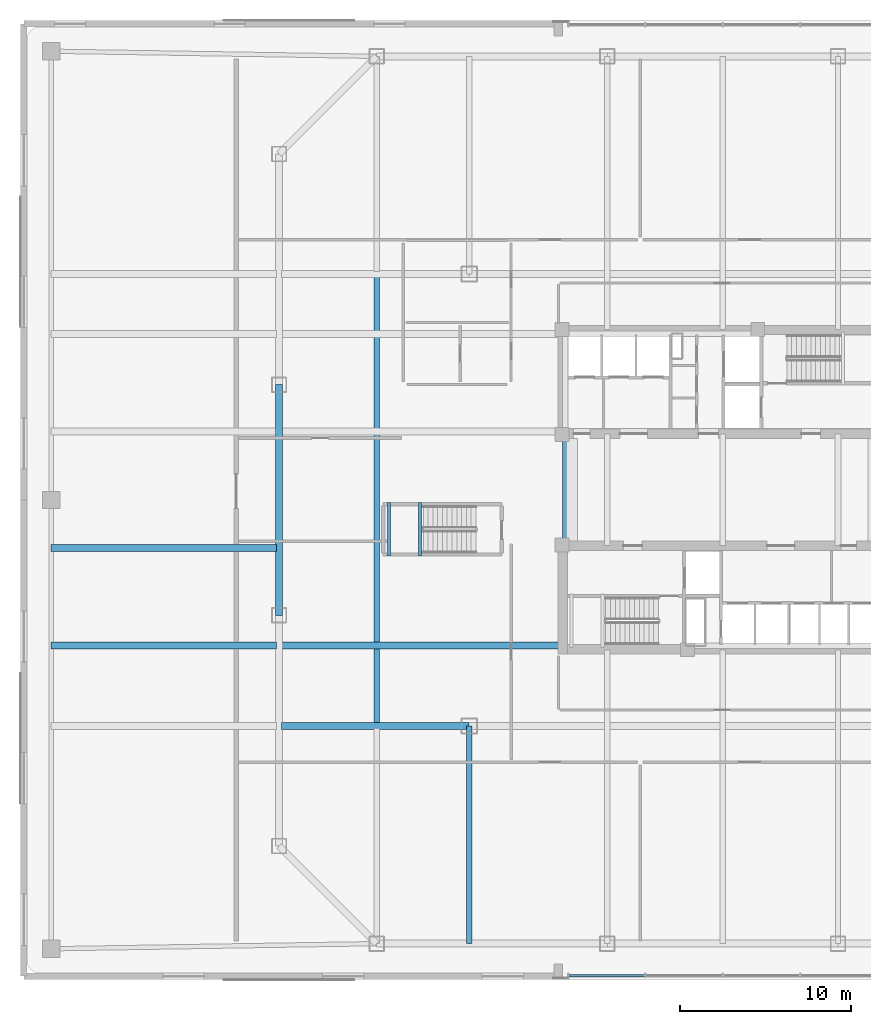
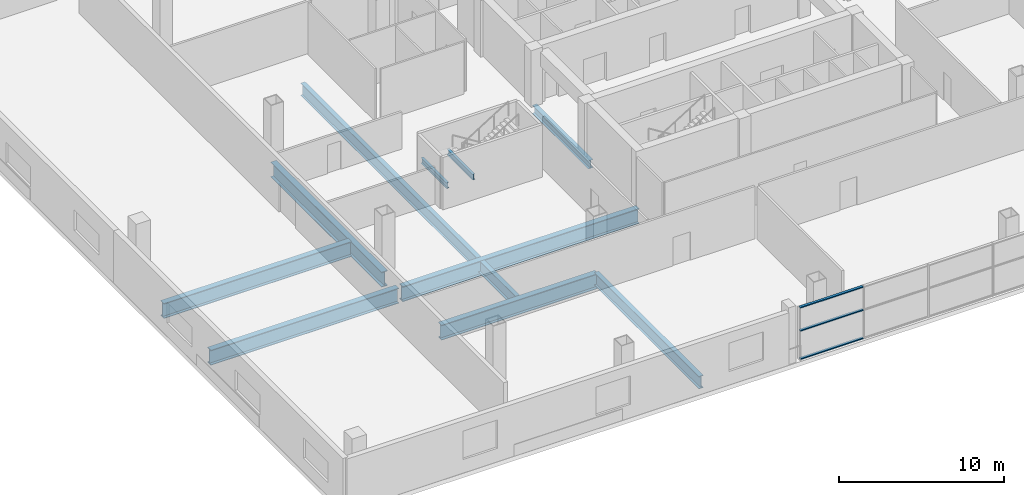
# One storey, part 3 of 21: 10 beams, 3 members, 1 element without a shape of its own.
"""IFC4 building model written with IfcOpenShell, lengths in metres."""

from ifc_helpers import new_model, si_unit, direction, frame, origin, origin_2d, place, context, subcontext, project, spatial, hollow_rectangle, i_section, extrude, material, layer, layer_set, material_profile, profile_set, type_object, element, aggregate, save


model = new_model("IFC4")

# Units and contexts
model_context = context("Model", 3, precision=1e-05, world=origin(), true_north=direction((0.0, 1.0)))
body_context = subcontext(model_context, "Body", "Model", "MODEL_VIEW")
ifc_project = project(units=[si_unit("LENGTHUNIT", "METRE"), si_unit("AREAUNIT", "SQUARE_METRE"), si_unit("VOLUMEUNIT", "CUBIC_METRE"), si_unit("PLANEANGLEUNIT", "RADIAN"), si_unit("MASSUNIT", "GRAM", prefix="KILO")], contexts=[model_context])

# Site, building, storey
site_placement = place(None, origin())
site = spatial("IfcSite", under=ifc_project, at=site_placement, CompositionType="ELEMENT")
building_placement = place(site_placement, origin())
building = spatial("IfcBuilding", under=site, at=building_placement, Name="Qhalaya Broadcast Tower", CompositionType="ELEMENT")
storey_placement = place(building_placement, frame((0.0, 0.0, 13.5)))
storey = spatial("IfcBuildingStorey", under=building, at=storey_placement, Name="L03", CompositionType="ELEMENT", Elevation=13.5)

# Beams
ifc_material_1 = material(Name="Structural Steel ASTM A992 Grade 50", Category="steel")
ifc_material_profile_1 = material_profile(ifc_material_1, i_section(OverallWidth=0.323974609375, OverallDepth=0.612060546875, WebThickness=0.0126953125, FlangeThickness=0.01904296875, at=origin_2d()), Name="W24X104")
ifc_profile_set_1 = profile_set([ifc_material_profile_1], Name="Structural Steel ASTM A992 Grade 50")
beam_type_1 = type_object("IfcBeamType", Name="Core Frame Tie Beam B04", PredefinedType="BEAM", material=ifc_profile_set_1)
beam_1_placement = place(storey_placement, frame((-9.199951171875, -2.800048828125, -0.6259765625), z_axis=(0.0, 1.0, 0.0), x_axis=(-1.0, 0.0, 0.0)))
element("IfcBeam", 1, at=beam_1_placement, inside=storey, type_object=beam_type_1, Name="L03 B04 L03-CCW", PredefinedType="BEAM", context=body_context, shape_type="SweptSolid", body=[
    extrude(i_section(OverallWidth=0.323974609375, OverallDepth=0.612060546875, WebThickness=0.0126953125, FlangeThickness=0.01904296875, at=origin_2d()), origin(), (0.0, 0.0, 1.0), 6.800048828125),
])
ifc_material_profile_2 = material_profile(ifc_material_1, i_section(OverallWidth=0.306884765625, OverallDepth=0.927001953125, WebThickness=0.019287109375, FlangeThickness=0.031982421875, at=origin_2d()), Name="W36X194")
ifc_profile_set_2 = profile_set([ifc_material_profile_2], Name="Structural Steel ASTM A992 Grade 50")
beam_type_2 = type_object("IfcBeamType", Name="Heavy Studio Floor Beam B01", PredefinedType="BEAM", material=ifc_profile_set_2)
beam_2_placement = place(storey_placement, frame((-20.199951171875, -13.06005859375, -0.783447265625), z_axis=(0.0, 1.0, 0.0), x_axis=(-1.0, 0.0, 0.0)))
element("IfcBeam", 2, at=beam_2_placement, inside=storey, type_object=beam_type_2, Name="L03 B01 L03-JS-M-20.2", PredefinedType="BEAM", context=body_context, shape_type="SweptSolid", body=[
    extrude(i_section(OverallWidth=0.306884765625, OverallDepth=0.927001953125, WebThickness=0.019287109375, FlangeThickness=0.031982421875, at=origin_2d()), origin(), (0.0, 0.0, 1.0), 26.1201171875),
])
beam_3_placement = place(storey_placement, frame((-14.800048828125, -25.89990234375, -0.783447265625), z_axis=(0.0, 1.0, 0.0), x_axis=(-1.0, 0.0, 0.0)))
element("IfcBeam", 3, at=beam_3_placement, inside=storey, type_object=beam_type_2, Name="L03 B01 L03-JS-S-14.8", PredefinedType="BEAM", context=body_context, shape_type="SweptSolid", body=[
    extrude(i_section(OverallWidth=0.306884765625, OverallDepth=0.927001953125, WebThickness=0.019287109375, FlangeThickness=0.031982421875, at=origin_2d()), origin(), (0.0, 0.0, 1.0), 12.699951171875),
])
ifc_material_profile_3 = material_profile(ifc_material_1, i_section(OverallWidth=0.404052734375, OverallDepth=1.117919921875, WebThickness=0.026123046875, FlangeThickness=0.044921875, at=origin_2d()), Name="W44X335")
ifc_profile_set_3 = profile_set([ifc_material_profile_3], Name="Structural Steel ASTM A992 Grade 50")
beam_type_3 = type_object("IfcBeamType", Name="Podium Long-Span Primary Girder PG1", PredefinedType="USERDEFINED", material=ifc_profile_set_3)
beam_4_placement = place(storey_placement, frame((-25.89990234375, 6.7333984375, -0.87890625), z_axis=(0.0, -1.0, 0.0), x_axis=(1.0, 0.0, 0.0)))
element("IfcBeam", 4, at=beam_4_placement, inside=storey, type_object=beam_type_3, Name="L03 PG1 L03-PG-R14", ObjectType="GIRDER", PredefinedType="USERDEFINED", context=body_context, shape_type="SweptSolid", body=[
    extrude(i_section(OverallWidth=0.404052734375, OverallDepth=1.117919921875, WebThickness=0.026123046875, FlangeThickness=0.044921875, at=origin_2d()), origin(), (0.0, 0.0, 1.0), 13.466796875),
])
beam_5_placement = place(storey_placement, frame((-25.760009765625, -13.199951171875, -0.87890625), z_axis=(1.0, 0.0, 0.0), x_axis=(0.0, 1.0, 0.0)))
element("IfcBeam", 5, at=beam_5_placement, inside=storey, type_object=beam_type_3, Name="L03 PG1 L03-PG-GS2", ObjectType="GIRDER", PredefinedType="USERDEFINED", context=body_context, shape_type="SweptSolid", body=[
    extrude(i_section(OverallWidth=0.404052734375, OverallDepth=1.117919921875, WebThickness=0.026123046875, FlangeThickness=0.044921875, at=origin_2d()), origin(), (0.0, 0.0, 1.0), 10.9599609375),
])
beam_6_placement = place(storey_placement, frame((-39.199951171875, -8.5, -0.87890625), z_axis=(1.0, 0.0, 0.0), x_axis=(0.0, 1.0, 0.0)))
element("IfcBeam", 6, at=beam_6_placement, inside=storey, type_object=beam_type_3, Name="L03 PG1 L03-PG-W1A", ObjectType="GIRDER", PredefinedType="USERDEFINED", context=body_context, shape_type="SweptSolid", body=[
    extrude(i_section(OverallWidth=0.404052734375, OverallDepth=1.117919921875, WebThickness=0.026123046875, FlangeThickness=0.044921875, at=origin_2d()), origin(), (0.0, 0.0, 1.0), 13.159912109375),
])
beam_7_placement = place(storey_placement, frame((-25.760009765625, -8.5, -0.87890625), z_axis=(1.0, 0.0, 0.0), x_axis=(0.0, 1.0, 0.0)))
element("IfcBeam", 7, at=beam_7_placement, inside=storey, type_object=beam_type_3, Name="L03 PG1 L03-PG-W1B", ObjectType="GIRDER", PredefinedType="USERDEFINED", context=body_context, shape_type="SweptSolid", body=[
    extrude(i_section(OverallWidth=0.404052734375, OverallDepth=1.117919921875, WebThickness=0.026123046875, FlangeThickness=0.044921875, at=origin_2d()), origin(), (0.0, 0.0, 1.0), 16.56005859375),
])
beam_8_placement = place(storey_placement, frame((-39.199951171875, -2.800048828125, -0.87890625), z_axis=(1.0, 0.0, 0.0), x_axis=(0.0, 1.0, 0.0)))
element("IfcBeam", 8, at=beam_8_placement, inside=storey, type_object=beam_type_3, Name="L03 PG1 L03-PG-W2A", ObjectType="GIRDER", PredefinedType="USERDEFINED", context=body_context, shape_type="SweptSolid", body=[
    extrude(i_section(OverallWidth=0.404052734375, OverallDepth=1.117919921875, WebThickness=0.026123046875, FlangeThickness=0.044921875, at=origin_2d()), origin(), (0.0, 0.0, 1.0), 13.159912109375),
])

# Curtain wall, members
ifc_material_2 = material(Name="Solar-Control Low-E Triple Glazing", Category="glass")
ifc_layer = layer(ifc_material_2, 0.219970703125, Name="Solar-Control Low-E Triple Glazing")
ifc_layer_set = layer_set([ifc_layer], Name="Solar-Control Low-E Triple Glazing")
curtain_wall_type = type_object("IfcCurtainWallType", Name="Podium Concourse Triple-Height Glazed Portal CW-01", PredefinedType="NOTDEFINED", material=ifc_layer_set)
curtain_wall_placement = place(storey_placement, origin())
curtain_wall = element("IfcCurtainWall", 9, at=curtain_wall_placement, inside=storey, type_object=curtain_wall_type, Name="L03 Unitised Curtain Wall L03-CW01-S", PredefinedType="NOTDEFINED")
ifc_material_3 = material(Name="Anodised Aluminium 6063-T6", Category="aluminium")
ifc_material_profile_4 = material_profile(ifc_material_3, hollow_rectangle(XDim=0.074951171875, YDim=0.179931640625, WallThickness=0.00390625, at=origin_2d()), Name="ALU-TRN 75x180x4")
ifc_profile_set_4 = profile_set([ifc_material_profile_4], Name="Anodised Aluminium 6063-T6")
member_type = type_object("IfcMemberType", Name="Unitised Curtain-Wall Transom T01", PredefinedType="USERDEFINED", material=ifc_profile_set_4)
member_1_placement = place(storey_placement, frame((-8.97509765625, -27.75, 0.03759765625), z_axis=(1.0, 0.0, 0.0), x_axis=(0.0, 0.0, 1.0)))
member_1 = element("IfcMember", 10, at=member_1_placement, type_object=member_type, Name="CW-01 transom 1.1", ObjectType="TRANSOM", PredefinedType="USERDEFINED", context=body_context, shape_type="SweptSolid", body=[
    extrude(hollow_rectangle(XDim=0.074951171875, YDim=0.179931640625, WallThickness=0.00390625, at=origin_2d()), origin(), (0.0, 0.0, 1.0), 4.41259765625),
])
member_2_placement = place(storey_placement, frame((-8.97509765625, -27.75, 2.134033203125), z_axis=(1.0, 0.0, 0.0), x_axis=(0.0, 0.0, 1.0)))
member_2 = element("IfcMember", 11, at=member_2_placement, type_object=member_type, Name="CW-01 transom 1.2", ObjectType="TRANSOM", PredefinedType="USERDEFINED", context=body_context, shape_type="SweptSolid", body=[
    extrude(hollow_rectangle(XDim=0.074951171875, YDim=0.179931640625, WallThickness=0.00390625, at=origin_2d()), origin(), (0.0, 0.0, 1.0), 4.41259765625),
])
member_3_placement = place(storey_placement, frame((-8.97509765625, -27.75, 3.842529296875), z_axis=(1.0, 0.0, 0.0), x_axis=(0.0, 0.0, 1.0)))
member_3 = element("IfcMember", 12, at=member_3_placement, type_object=member_type, Name="CW-01 transom 1.3", ObjectType="TRANSOM", PredefinedType="USERDEFINED", context=body_context, shape_type="SweptSolid", body=[
    extrude(hollow_rectangle(XDim=0.074951171875, YDim=0.179931640625, WallThickness=0.00390625, at=origin_2d()), origin(), (0.0, 0.0, 1.0), 4.41259765625),
])
aggregate(curtain_wall, [member_1, member_2, member_3])

# Beams
ifc_material_profile_5 = material_profile(ifc_material_1, i_section(OverallWidth=0.177978515625, OverallDepth=0.406005859375, WebThickness=0.0078125, FlangeThickness=0.0126953125, at=origin_2d()), Name="W16X40")
ifc_profile_set_5 = profile_set([ifc_material_profile_5], Name="Structural Steel ASTM A992 Grade 50")
beam_type_4 = type_object("IfcBeamType", Name="Upper Perimeter Spandrel Beam SP2", PredefinedType="SPANDREL", material=ifc_profile_set_5)
for number, where, z_axis, x_axis, name in (
    (13, (-19.47998046875, -3.280029296875, 1.697021484375), (0.0, 1.0, 0.0), (-1.0, 0.0, 0.0), "L03 ST-P1 Half-Landing Bearer Beam 1"),
    (14, (-17.6650390625, -3.280029296875, 1.697021484375), (0.0, 1.0, 0.0), (-1.0, 0.0, 0.0), "L03 ST-P1 Half-Landing Bearer Beam 2"),
):
    element("IfcBeam", number, at=place(storey_placement, frame(where, z_axis=z_axis, x_axis=x_axis)), inside=storey, type_object=beam_type_4, Name=name, PredefinedType="SPANDREL", context=body_context, shape_type="SweptSolid", body=[
        extrude(i_section(OverallWidth=0.177978515625, OverallDepth=0.406005859375, WebThickness=0.0078125, FlangeThickness=0.0126953125, at=origin_2d()), origin(), (0.0, 0.0, 1.0), 3.1201171875),
    ])

save(model, "model.ifc")
